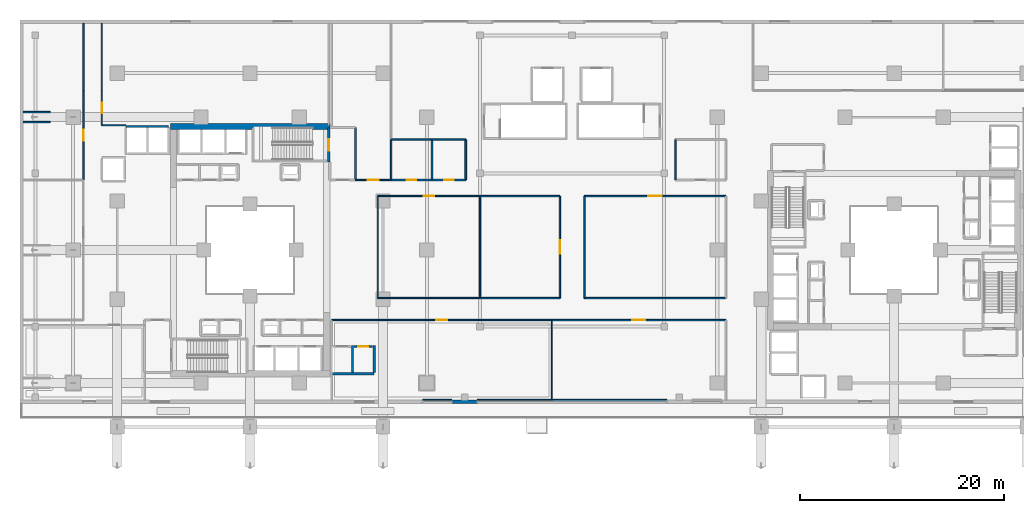
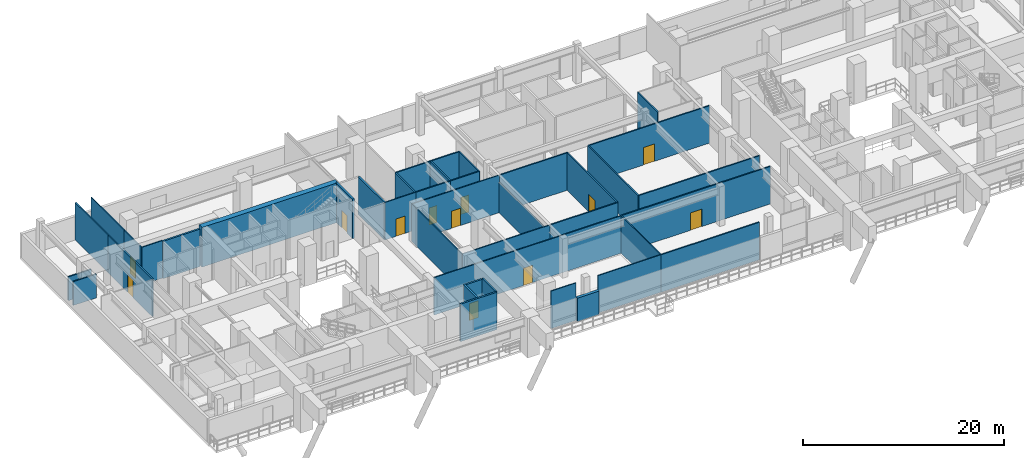
# One storey, part 16 of 25: 41 walls, 12 doors, 12 openings.
"""IFC4 building model written with IfcOpenShell, lengths in metres."""

from ifc_helpers import new_model, si_unit, direction, frame, frame_2d, origin, place, context, subcontext, project, spatial, rectangle, extrude, material, layer, layer_set, type_object, element, fill, save


model = new_model("IFC4")

# Units and contexts
model_context = context("Model", 3, precision=1e-05, world=origin(), true_north=direction((0.0, 1.0)))
body_context = subcontext(model_context, "Body", "Model", "MODEL_VIEW")
ifc_project = project(units=[si_unit("LENGTHUNIT", "METRE"), si_unit("AREAUNIT", "SQUARE_METRE"), si_unit("VOLUMEUNIT", "CUBIC_METRE"), si_unit("PLANEANGLEUNIT", "RADIAN"), si_unit("MASSUNIT", "GRAM", prefix="KILO")], contexts=[model_context])

# Site, building, storey
site_placement = place(None, origin())
site = spatial("IfcSite", under=ifc_project, at=site_placement, CompositionType="ELEMENT")
building_placement = place(site_placement, origin())
building = spatial("IfcBuilding", under=site, at=building_placement, Name="Thornwick Lancets Civic Towers", CompositionType="ELEMENT")
storey_placement = place(building_placement, frame((0.0, 0.0, 23.10009765625)))
storey = spatial("IfcBuildingStorey", under=building, at=storey_placement, Name="L05", CompositionType="ELEMENT", Elevation=23.10009765625)

# Wall, opening, door
ifc_material_1 = material(Name="Concrete blockwork C40/50", Category="masonry")
ifc_layer_1 = layer(ifc_material_1, 0.199951171875, Name="Concrete blockwork C40/50")
ifc_layer_set_1 = layer_set([ifc_layer_1], Name="Concrete blockwork C40/50")
wall_type_1 = type_object("IfcWallType", Name="WALL_COMP_200", PredefinedType="STANDARD", material=ifc_layer_set_1)
wall_1_placement = place(storey_placement, frame((35.679931640625, 17.550048828125, 0.0), z_axis=(0.0, 0.0, 1.0), x_axis=(1.0, 0.0, 0.0)))
wall_1 = element("IfcWall", 1, at=wall_1_placement, inside=storey, type_object=wall_type_1, Name="L05 Hoistway Front Wall PL-AL3", PredefinedType="STANDARD", context=body_context, shape_type="SweptSolid", body=[
    extrude(rectangle(XDim=1.7900390625, YDim=0.199951171875, at=frame_2d((0.89501953125, 0.0))), origin(), (0.0, 0.0, 1.0), 4.539794921875),
])
opening_1_placement = place(wall_1_placement, frame((0.385009765625, 0.0, 0.0)))
opening_1 = element("IfcOpeningElement", 2, at=opening_1_placement, cuts=wall_1, Name="Opening LD-PL-AL3", PredefinedType="OPENING", context=body_context, shape_type="SweptSolid", body=[
    extrude(rectangle(XDim=1.02001953125, YDim=2.06005859375, at=frame_2d((0.510009765625, 1.030029296875))), frame((0.0, 0.10986328125, 0.0), z_axis=(0.0, -1.0, 0.0), x_axis=(1.0, 0.0, 0.0)), (0.0, 0.0, 1.0), 0.219970703125),
])
ifc_material_2 = material(Name="Brushed bronze stainless steel", Category="steel")
door_type_1 = type_object("IfcDoorType", Name="DOOR_LIFT_SLIDE", OperationType="SLIDING_TO_LEFT", PredefinedType="DOOR", material=ifc_material_2)
door_1_placement = place(opening_1_placement, origin())
door_1 = element("IfcDoor", 3, at=door_1_placement, inside=storey, type_object=door_type_1, Name="L05 Sliding Lift Landing Door LD-PL-AL3", OperationType="SLIDING_TO_LEFT", OverallHeight=2.06005859375, OverallWidth=1.02001953125, PredefinedType="DOOR", context=body_context, shape_type="SweptSolid", body=[
    extrude(rectangle(XDim=1.02001953125, YDim=2.06005859375, at=frame_2d((0.510009765625, 1.030029296875))), frame((0.0, 0.02490234375, 0.0), z_axis=(0.0, -1.0, 0.0), x_axis=(1.0, 0.0, 0.0)), (0.0, 0.0, 1.0), 0.050048828125),
])
fill(opening_1, door_1)

# Walls
wall_2_placement = place(storey_placement, frame((33.451904296875, 14.89990234375, 0.0), z_axis=(0.0, 0.0, 1.0), x_axis=(1.0, 0.0, 0.0)))
element("IfcWall", 4, at=wall_2_placement, inside=storey, type_object=wall_type_1, Name="L05 Hoistway Shaft Wall PL-AL2 S", PredefinedType="STANDARD", context=body_context, shape_type="SweptSolid", body=[
    extrude(rectangle(XDim=4.196044921875, YDim=0.199951171875, at=frame_2d((2.09814453125, 0.0))), origin(), (0.0, 0.0, 1.0), 4.539794921875),
])
for number, where, z_axis, x_axis, name in (
    (5, (35.52490234375, 15.011962890625, 0.0), (0.0, 0.0, 1.0), (0.0, 1.0, 0.0), "L05 Hoistway Shaft Wall PL-AL2 E"),
    (6, (37.64990234375, 15.011962890625, 0.0), (0.0, 0.0, 1.0), (0.0, 1.0, 0.0), "L05 Hoistway Shaft Wall PL-AL3 E"),
):
    element("IfcWall", number, at=place(storey_placement, frame(where, z_axis=z_axis, x_axis=x_axis)), inside=storey, type_object=wall_type_1, Name=name, PredefinedType="STANDARD", context=body_context, shape_type="SweptSolid", body=[
        extrude(rectangle(XDim=2.635986328125, YDim=0.199951171875, at=frame_2d((1.31787109375, 0.0))), origin(), (0.0, 0.0, 1.0), 4.539794921875),
    ])
wall_3_placement = place(storey_placement, frame((13.35205078125, 39.10009765625, 0.0), z_axis=(0.0, 0.0, 1.0), x_axis=(1.0, 0.0, 0.0)))
element("IfcWall", 7, at=wall_3_placement, inside=storey, type_object=wall_type_1, Name="L05 Hoistway Shaft Wall PL-AM1 N", PredefinedType="STANDARD", context=body_context, shape_type="SweptSolid", body=[
    extrude(rectangle(XDim=4.196044921875, YDim=0.199951171875, at=frame_2d((2.09814453125, 0.0))), origin(), (0.0, 0.0, 1.0), 4.539794921875),
])
wall_4_placement = place(storey_placement, frame((35.800048828125, 33.85009765625, 0.0), z_axis=(0.0, 0.0, 1.0), x_axis=(0.0, 1.0, 0.0)))
element("IfcWall", 8, at=wall_4_placement, inside=storey, type_object=wall_type_1, Name="L05 Partition L05-A-FFLOB2 E2", PredefinedType="STANDARD", context=body_context, shape_type="SweptSolid", body=[
    extrude(rectangle(XDim=5.14990234375, YDim=0.199951171875, at=frame_2d((2.574951171875, 0.0))), origin(), (0.0, 0.0, 1.0), 4.539794921875),
])
ifc_material_3 = material(Name="Concrete C60/75", Category="concrete")
ifc_layer_2 = layer(ifc_material_3, 0.60009765625, Name="Concrete C60/75")
ifc_layer_set_2 = layer_set([ifc_layer_2], Name="Concrete C60/75")
wall_type_2 = type_object("IfcWallType", Name="WALL_CORE_600", PredefinedType="SHEAR", material=ifc_layer_set_2)
wall_5_placement = place(storey_placement, frame((17.699951171875, 39.10009765625, 0.0), z_axis=(0.0, 0.0, 1.0), x_axis=(1.0, 0.0, 0.0)))
element("IfcWall", 9, at=wall_5_placement, inside=storey, type_object=wall_type_2, Name="L05 Split Core A2 Shear Wall N", PredefinedType="SHEAR", context=body_context, shape_type="SweptSolid", body=[
    extrude(rectangle(XDim=15.60009765625, YDim=0.60009765625, at=frame_2d((7.800048828125, 0.0))), origin(), (0.0, 0.0, 1.0), 4.7998046875),
])
ifc_material_4 = material(Name="Insulated buff terracotta rainscreen on concrete C40/50", Category="masonry")
ifc_layer_3 = layer(ifc_material_4, 0.320068359375, Name="Insulated buff terracotta rainscreen on concrete C40/50")
ifc_layer_set_3 = layer_set([ifc_layer_3], Name="Insulated buff terracotta rainscreen on concrete C40/50")
wall_type_3 = type_object("IfcWallType", Name="WALL_EXT_TERRA_320", PredefinedType="STANDARD", material=ifc_layer_set_3)
wall_6_placement = place(storey_placement, frame((45.25, 12.159912109375, 0.0), z_axis=(0.0, 0.0, 1.0), x_axis=(1.0, 0.0, 0.0)))
element("IfcWall", 10, at=wall_6_placement, inside=storey, type_object=wall_type_3, Name="L05 Podium South Facade Pier 1", PredefinedType="STANDARD", context=body_context, shape_type="SweptSolid", body=[
    extrude(rectangle(XDim=2.5, YDim=0.320068359375, at=frame_2d((1.25, 0.0))), origin(), (0.0, 0.0, 1.0), 2.83984375),
])

# Wall, opening, door
ifc_material_5 = material(Name="Acoustic gypsum board partition")
ifc_layer_4 = layer(ifc_material_5, 0.1201171875, Name="Acoustic gypsum board partition")
ifc_layer_set_4 = layer_set([ifc_layer_4], Name="Acoustic gypsum board partition")
wall_type_4 = type_object("IfcWallType", Name="WALL_PART_120", PredefinedType="PARTITIONING", material=ifc_layer_set_4)
wall_7_placement = place(storey_placement, frame((33.5, 20.14990234375, 0.0), z_axis=(0.0, 0.0, 1.0), x_axis=(1.0, 0.0, 0.0)))
wall_7 = element("IfcWall", 11, at=wall_7_placement, inside=storey, type_object=wall_type_4, Name="L05 Partition L05-RECEP E1", PredefinedType="PARTITIONING", context=body_context, shape_type="SweptSolid", body=[
    extrude(rectangle(XDim=21.5, YDim=0.1201171875, at=frame_2d((10.75, 0.0))), origin(), (0.0, 0.0, 1.0), 4.539794921875),
])
opening_2_placement = place(wall_7_placement, frame((10.22509765625, 0.0, 0.0)))
opening_2 = element("IfcOpeningElement", 12, at=opening_2_placement, cuts=wall_7, Name="Opening D-L05-0304", PredefinedType="OPENING", context=body_context, shape_type="SweptSolid", body=[
    extrude(rectangle(XDim=1.050048828125, YDim=2.10009765625, at=frame_2d((0.52490234375, 1.050048828125))), frame((0.0, 0.070068359375, 0.0), z_axis=(0.0, -1.0, 0.0), x_axis=(1.0, 0.0, 0.0)), (0.0, 0.0, 1.0), 0.14013671875),
])
ifc_material_6 = material(Name="Glazed European oak executive doorset")
door_type_2 = type_object("IfcDoorType", Name="DOOR_OFFICE_1050", OperationType="NOTDEFINED", PredefinedType="DOOR", material=ifc_material_6)
door_2_placement = place(opening_2_placement, origin())
door_2 = element("IfcDoor", 13, at=door_2_placement, inside=storey, type_object=door_type_2, Name="L05 Terrace Reception Foyer Door", OperationType="SINGLE_SWING_LEFT", OverallHeight=2.10009765625, OverallWidth=1.050048828125, PredefinedType="DOOR", context=body_context, shape_type="SweptSolid", body=[
    extrude(rectangle(XDim=1.050048828125, YDim=2.10009765625, at=frame_2d((0.52490234375, 1.050048828125))), frame((0.0, 0.02490234375, 0.0), z_axis=(0.0, -1.0, 0.0), x_axis=(1.0, 0.0, 0.0)), (0.0, 0.0, 1.0), 0.050048828125),
])
fill(opening_2, door_2)

# Walls
wall_8_placement = place(storey_placement, frame((55.0, 20.14990234375, 0.0), z_axis=(0.0, 0.0, 1.0), x_axis=(0.0, -1.0, 0.0)))
element("IfcWall", 14, at=wall_8_placement, inside=storey, type_object=wall_type_4, Name="L05 Partition L05-RECEP E2", PredefinedType="PARTITIONING", context=body_context, shape_type="SweptSolid", body=[
    extrude(rectangle(XDim=7.829833984375, YDim=0.1201171875, at=frame_2d((3.9150390625, 0.0))), origin(), (0.0, 0.0, 1.0), 4.539794921875),
])
wall_9_placement = place(storey_placement, frame((55.0, 12.320068359375, 0.0), z_axis=(0.0, 0.0, 1.0), x_axis=(-1.0, 0.0, 0.0)))
element("IfcWall", 15, at=wall_9_placement, inside=storey, type_object=wall_type_4, Name="L05 Partition L05-RECEP E3", PredefinedType="PARTITIONING", context=body_context, shape_type="SweptSolid", body=[
    extrude(rectangle(XDim=7.25, YDim=0.1201171875, at=frame_2d((3.625, 0.0))), origin(), (0.0, 0.0, 1.0), 4.539794921875),
])
wall_10_placement = place(storey_placement, frame((45.25, 12.320068359375, 0.0), z_axis=(0.0, 0.0, 1.0), x_axis=(-1.0, 0.0, 0.0)))
element("IfcWall", 16, at=wall_10_placement, inside=storey, type_object=wall_type_4, Name="L05 Partition L05-RECEP E3", PredefinedType="PARTITIONING", context=body_context, shape_type="SweptSolid", body=[
    extrude(rectangle(XDim=2.85009765625, YDim=0.1201171875, at=frame_2d((1.425048828125, 0.0))), origin(), (0.0, 0.0, 1.0), 4.539794921875),
])

# Wall, opening, door
wall_11_placement = place(storey_placement, frame((38.0, 32.280029296875, 0.0), z_axis=(0.0, 0.0, 1.0), x_axis=(1.0, 0.0, 0.0)))
wall_11 = element("IfcWall", 17, at=wall_11_placement, inside=storey, type_object=wall_type_4, Name="L05 Partition L05-CSW1 E1", PredefinedType="PARTITIONING", context=body_context, shape_type="SweptSolid", body=[
    extrude(rectangle(XDim=10.0, YDim=0.1201171875, at=frame_2d((5.0, 0.0))), origin(), (0.0, 0.0, 1.0), 4.539794921875),
])
opening_3_placement = place(wall_11_placement, frame((4.47509765625, 0.0, 0.0)))
opening_3 = element("IfcOpeningElement", 18, at=opening_3_placement, cuts=wall_11, Name="Opening D-L05-0309", PredefinedType="OPENING", context=body_context, shape_type="SweptSolid", body=[
    extrude(rectangle(XDim=1.050048828125, YDim=2.10009765625, at=frame_2d((0.52490234375, 1.050048828125))), frame((0.0, 0.070068359375, 0.0), z_axis=(0.0, -1.0, 0.0), x_axis=(1.0, 0.0, 0.0)), (0.0, 0.0, 1.0), 0.14013671875),
])
door_3_placement = place(opening_3_placement, origin())
door_3 = element("IfcDoor", 19, at=door_3_placement, inside=storey, type_object=door_type_2, Name="L05 Central Casework Office A Door", OperationType="SINGLE_SWING_RIGHT", OverallHeight=2.10009765625, OverallWidth=1.050048828125, PredefinedType="DOOR", context=body_context, shape_type="SweptSolid", body=[
    extrude(rectangle(XDim=1.050048828125, YDim=2.10009765625, at=frame_2d((0.52490234375, 1.050048828125))), frame((0.0, 0.02490234375, 0.0), z_axis=(0.0, -1.0, 0.0), x_axis=(1.0, 0.0, 0.0)), (0.0, 0.0, 1.0), 0.050048828125),
])
fill(opening_3, door_3)

# Walls
wall_12_placement = place(storey_placement, frame((48.0, 32.280029296875, 0.0), z_axis=(0.0, 0.0, 1.0), x_axis=(0.0, -1.0, 0.0)))
element("IfcWall", 20, at=wall_12_placement, inside=storey, type_object=wall_type_4, Name="L05 Partition L05-CSW1 E2", PredefinedType="PARTITIONING", context=body_context, shape_type="SweptSolid", body=[
    extrude(rectangle(XDim=9.97998046875, YDim=0.1201171875, at=frame_2d((4.989990234375, 0.0))), origin(), (0.0, 0.0, 1.0), 3.69384765625),
])
wall_13_placement = place(storey_placement, frame((48.0, 22.300048828125, 0.0), z_axis=(0.0, 0.0, 1.0), x_axis=(-1.0, 0.0, 0.0)))
element("IfcWall", 21, at=wall_13_placement, inside=storey, type_object=wall_type_4, Name="L05 Partition L05-CSW1 E3", PredefinedType="PARTITIONING", context=body_context, shape_type="SweptSolid", body=[
    extrude(rectangle(XDim=10.0, YDim=0.1201171875, at=frame_2d((5.0, 0.0))), origin(), (0.0, 0.0, 1.0), 4.539794921875),
])
wall_14_placement = place(storey_placement, frame((38.0, 22.300048828125, 0.0), z_axis=(0.0, 0.0, 1.0), x_axis=(0.0, 1.0, 0.0)))
element("IfcWall", 22, at=wall_14_placement, inside=storey, type_object=wall_type_4, Name="L05 Partition L05-CSW1 E4", PredefinedType="PARTITIONING", context=body_context, shape_type="SweptSolid", body=[
    extrude(rectangle(XDim=9.97998046875, YDim=0.1201171875, at=frame_2d((4.989990234375, 0.0))), origin(), (0.0, 0.0, 1.0), 4.539794921875),
])

# Wall, opening, door
wall_15_placement = place(storey_placement, frame((39.300048828125, 33.85009765625, 0.0), z_axis=(0.0, 0.0, 1.0), x_axis=(-1.0, 0.0, 0.0)))
wall_15 = element("IfcWall", 23, at=wall_15_placement, inside=storey, type_object=wall_type_4, Name="L05 Partition L05-LIB E4", PredefinedType="PARTITIONING", context=body_context, shape_type="SweptSolid", body=[
    extrude(rectangle(XDim=3.5, YDim=0.1201171875, at=frame_2d((1.75, 0.0))), origin(), (0.0, 0.0, 1.0), 4.539794921875),
])
opening_4_placement = place(wall_15_placement, frame((1.22509765625, 0.0, 0.0)))
opening_4 = element("IfcOpeningElement", 24, at=opening_4_placement, cuts=wall_15, Name="Opening D-L05-0312", PredefinedType="OPENING", context=body_context, shape_type="SweptSolid", body=[
    extrude(rectangle(XDim=1.050048828125, YDim=2.10009765625, at=frame_2d((0.52490234375, 1.050048828125))), frame((0.0, 0.070068359375, 0.0), z_axis=(0.0, -1.0, 0.0), x_axis=(1.0, 0.0, 0.0)), (0.0, 0.0, 1.0), 0.14013671875),
])
door_4_placement = place(opening_4_placement, origin())
door_4 = element("IfcDoor", 25, at=door_4_placement, inside=storey, type_object=door_type_2, Name="L05 Civic Reference Library and Training Door", OperationType="SINGLE_SWING_LEFT", OverallHeight=2.10009765625, OverallWidth=1.050048828125, PredefinedType="DOOR", context=body_context, shape_type="SweptSolid", body=[
    extrude(rectangle(XDim=1.050048828125, YDim=2.10009765625, at=frame_2d((0.52490234375, 1.050048828125))), frame((0.0, 0.02490234375, 0.0), z_axis=(0.0, -1.0, 0.0), x_axis=(1.0, 0.0, 0.0)), (0.0, 0.0, 1.0), 0.050048828125),
])
fill(opening_4, door_4)

# Walls
wall_16_placement = place(storey_placement, frame((11.0, 42.60009765625, 0.0), z_axis=(0.0, 0.0, 1.0), x_axis=(0.0, 1.0, 0.0)))
element("IfcWall", 26, at=wall_16_placement, inside=storey, type_object=wall_type_4, Name="L05 Partition L05-NWR E1", PredefinedType="PARTITIONING", context=body_context, shape_type="SweptSolid", body=[
    extrude(rectangle(XDim=6.579833984375, YDim=0.1201171875, at=frame_2d((3.2900390625, 0.0))), origin(), (0.0, 0.0, 1.0), 4.539794921875),
])
wall_17_placement = place(storey_placement, frame((13.35205078125, 39.199951171875, 0.0), z_axis=(0.0, 0.0, 1.0), x_axis=(-1.0, 0.0, 0.0)))
element("IfcWall", 27, at=wall_17_placement, inside=storey, type_object=wall_type_4, Name="L05 Partition L05-NWR E4", PredefinedType="PARTITIONING", context=body_context, shape_type="SweptSolid", body=[
    extrude(rectangle(XDim=2.35205078125, YDim=0.1201171875, at=frame_2d((1.176025390625, 0.0))), origin(), (0.0, 0.0, 1.0), 4.539794921875),
])

# Wall, opening, door
wall_18_placement = place(storey_placement, frame((11.0, 39.199951171875, 0.0), z_axis=(0.0, 0.0, 1.0), x_axis=(0.0, 1.0, 0.0)))
wall_18 = element("IfcWall", 28, at=wall_18_placement, inside=storey, type_object=wall_type_4, Name="L05 Partition L05-NWR E5", PredefinedType="PARTITIONING", context=body_context, shape_type="SweptSolid", body=[
    extrude(rectangle(XDim=3.400146484375, YDim=0.1201171875, at=frame_2d((1.7001953125, 0.0))), origin(), (0.0, 0.0, 1.0), 4.539794921875),
])
opening_5_placement = place(wall_18_placement, frame((1.175048828125, 0.0, 0.0)))
opening_5 = element("IfcOpeningElement", 29, at=opening_5_placement, cuts=wall_18, Name="Opening D-L05-0315", PredefinedType="OPENING", context=body_context, shape_type="SweptSolid", body=[
    extrude(rectangle(XDim=1.050048828125, YDim=2.10009765625, at=frame_2d((0.52490234375, 1.050048828125))), frame((0.0, 0.070068359375, 0.0), z_axis=(0.0, -1.0, 0.0), x_axis=(1.0, 0.0, 0.0)), (0.0, 0.0, 1.0), 0.14013671875),
])
door_5_placement = place(opening_5_placement, origin())
door_5 = element("IfcDoor", 30, at=door_5_placement, inside=storey, type_object=door_type_2, Name="L05 North-West Terrace Study Hall Door", OperationType="SINGLE_SWING_RIGHT", OverallHeight=2.10009765625, OverallWidth=1.050048828125, PredefinedType="DOOR", context=body_context, shape_type="SweptSolid", body=[
    extrude(rectangle(XDim=1.050048828125, YDim=2.10009765625, at=frame_2d((0.52490234375, 1.050048828125))), frame((0.0, 0.02490234375, 0.0), z_axis=(0.0, -1.0, 0.0), x_axis=(1.0, 0.0, 0.0)), (0.0, 0.0, 1.0), 0.050048828125),
])
fill(opening_5, door_5)

ifc_material_7 = material(Name="Twin-stud acoustic gypsum board")
ifc_layer_5 = layer(ifc_material_7, 0.14990234375, Name="Twin-stud acoustic gypsum board")
ifc_layer_set_5 = layer_set([ifc_layer_5], Name="Twin-stud acoustic gypsum board")
wall_type_5 = type_object("IfcWallType", Name="WALL_PART_150", PredefinedType="PARTITIONING", material=ifc_layer_set_5)
wall_19_placement = place(storey_placement, frame((39.300048828125, 33.85009765625, 0.0), z_axis=(0.0, 0.0, 1.0), x_axis=(1.0, 0.0, 0.0)))
wall_19 = element("IfcWall", 31, at=wall_19_placement, inside=storey, type_object=wall_type_5, Name="L05 Partition L05-POD-MWC E1", PredefinedType="PARTITIONING", context=body_context, shape_type="SweptSolid", body=[
    extrude(rectangle(XDim=4.0, YDim=0.14990234375, at=frame_2d((2.0, 0.0))), origin(), (0.0, 0.0, 1.0), 4.539794921875),
])
opening_6_placement = place(wall_19_placement, frame((1.5400390625, 0.0, 0.0)))
opening_6 = element("IfcOpeningElement", 32, at=opening_6_placement, cuts=wall_19, Name="Opening D-L05-0300", PredefinedType="OPENING", context=body_context, shape_type="SweptSolid", body=[
    extrude(rectangle(XDim=0.919921875, YDim=2.080078125, at=frame_2d((0.4599609375, 1.0400390625))), frame((0.0, 0.0849609375, 0.0), z_axis=(0.0, -1.0, 0.0), x_axis=(1.0, 0.0, 0.0)), (0.0, 0.0, 1.0), 0.169921875),
])
ifc_material_8 = material(Name="Moisture-resistant oak doorset")
door_type_3 = type_object("IfcDoorType", Name="DOOR_WC_900", OperationType="NOTDEFINED", PredefinedType="DOOR", material=ifc_material_8)
door_6_placement = place(opening_6_placement, origin())
door_6 = element("IfcDoor", 33, at=door_6_placement, inside=storey, type_object=door_type_3, Name="L05 Podium Public Male WC Door", OperationType="SINGLE_SWING_LEFT", OverallHeight=2.080078125, OverallWidth=0.919921875, PredefinedType="DOOR", context=body_context, shape_type="SweptSolid", body=[
    extrude(rectangle(XDim=0.919921875, YDim=2.080078125, at=frame_2d((0.4599609375, 1.0400390625))), frame((0.0, 0.02490234375, 0.0), z_axis=(0.0, -1.0, 0.0), x_axis=(1.0, 0.0, 0.0)), (0.0, 0.0, 1.0), 0.050048828125),
])
fill(opening_6, door_6)

# Walls
wall_20_placement = place(storey_placement, frame((43.300048828125, 33.85009765625, 0.0), z_axis=(0.0, 0.0, 1.0), x_axis=(0.0, 1.0, 0.0)))
element("IfcWall", 34, at=wall_20_placement, inside=storey, type_object=wall_type_5, Name="L05 Partition L05-POD-MWC E2", PredefinedType="PARTITIONING", context=body_context, shape_type="SweptSolid", body=[
    extrude(rectangle(XDim=3.949951171875, YDim=0.14990234375, at=frame_2d((1.97509765625, 0.0))), origin(), (0.0, 0.0, 1.0), 4.539794921875),
])
wall_21_placement = place(storey_placement, frame((43.300048828125, 37.800048828125, 0.0), z_axis=(0.0, 0.0, 1.0), x_axis=(-1.0, 0.0, 0.0)))
element("IfcWall", 35, at=wall_21_placement, inside=storey, type_object=wall_type_5, Name="L05 Partition L05-POD-MWC E3", PredefinedType="PARTITIONING", context=body_context, shape_type="SweptSolid", body=[
    extrude(rectangle(XDim=4.0, YDim=0.14990234375, at=frame_2d((2.0, 0.0))), origin(), (0.0, 0.0, 1.0), 4.539794921875),
])
for number, where, z_axis, x_axis, name in (
    (36, (39.300048828125, 37.800048828125, 0.0), (0.0, 0.0, 1.0), (0.0, -1.0, 0.0), "L05 Partition L05-POD-MWC E4"),
    (37, (67.10009765625, 37.800048828125, 0.0), (0.0, 0.0, 1.0), (0.0, -1.0, 0.0), "L05 Partition L05-POD-FWC E4"),
    (38, (46.60009765625, 37.800048828125, 0.0), (0.0, 0.0, 1.0), (0.0, -1.0, 0.0), "L05 Partition L05-POD-AWC E1"),
):
    element("IfcWall", number, at=place(storey_placement, frame(where, z_axis=z_axis, x_axis=x_axis)), inside=storey, type_object=wall_type_5, Name=name, PredefinedType="PARTITIONING", context=body_context, shape_type="SweptSolid", body=[
        extrude(rectangle(XDim=3.949951171875, YDim=0.14990234375, at=frame_2d((1.97509765625, 0.0))), origin(), (0.0, 0.0, 1.0), 4.539794921875),
    ])

# Wall, opening, door
wall_22_placement = place(storey_placement, frame((46.60009765625, 33.85009765625, 0.0), z_axis=(0.0, 0.0, 1.0), x_axis=(-1.0, 0.0, 0.0)))
wall_22 = element("IfcWall", 39, at=wall_22_placement, inside=storey, type_object=wall_type_5, Name="L05 Partition L05-POD-AWC E2", PredefinedType="PARTITIONING", context=body_context, shape_type="SweptSolid", body=[
    extrude(rectangle(XDim=3.300048828125, YDim=0.14990234375, at=frame_2d((1.64990234375, 0.0))), origin(), (0.0, 0.0, 1.0), 4.539794921875),
])
opening_7_placement = place(wall_22_placement, frame((1.18994140625, 0.0, 0.0)))
opening_7 = element("IfcOpeningElement", 40, at=opening_7_placement, cuts=wall_22, Name="Opening D-L05-0302", PredefinedType="OPENING", context=body_context, shape_type="SweptSolid", body=[
    extrude(rectangle(XDim=0.919921875, YDim=2.080078125, at=frame_2d((0.4599609375, 1.0400390625))), frame((0.0, 0.0849609375, 0.0), z_axis=(0.0, -1.0, 0.0), x_axis=(1.0, 0.0, 0.0)), (0.0, 0.0, 1.0), 0.169921875),
])
door_7_placement = place(opening_7_placement, origin())
door_7 = element("IfcDoor", 41, at=door_7_placement, inside=storey, type_object=door_type_3, Name="L05 Podium Accessible WC Door", OperationType="SINGLE_SWING_LEFT", OverallHeight=2.080078125, OverallWidth=0.919921875, PredefinedType="DOOR", context=body_context, shape_type="SweptSolid", body=[
    extrude(rectangle(XDim=0.919921875, YDim=2.080078125, at=frame_2d((0.4599609375, 1.0400390625))), frame((0.0, 0.02490234375, 0.0), z_axis=(0.0, -1.0, 0.0), x_axis=(1.0, 0.0, 0.0)), (0.0, 0.0, 1.0), 0.050048828125),
])
fill(opening_7, door_7)

# Wall
wall_23_placement = place(storey_placement, frame((43.300048828125, 37.800048828125, 0.0), z_axis=(0.0, 0.0, 1.0), x_axis=(1.0, 0.0, 0.0)))
element("IfcWall", 42, at=wall_23_placement, inside=storey, type_object=wall_type_5, Name="L05 Partition L05-POD-AWC E4", PredefinedType="PARTITIONING", context=body_context, shape_type="SweptSolid", body=[
    extrude(rectangle(XDim=3.300048828125, YDim=0.14990234375, at=frame_2d((1.64990234375, 0.0))), origin(), (0.0, 0.0, 1.0), 4.539794921875),
])

# Wall, opening, door
wall_24_placement = place(storey_placement, frame((55.0, 20.14990234375, 0.0), z_axis=(0.0, 0.0, 1.0), x_axis=(1.0, 0.0, 0.0)))
wall_24 = element("IfcWall", 43, at=wall_24_placement, inside=storey, type_object=wall_type_5, Name="L05 Partition L05-TRIB E1", PredefinedType="PARTITIONING", context=body_context, shape_type="SweptSolid", body=[
    extrude(rectangle(XDim=17.050048828125, YDim=0.14990234375, at=frame_2d((8.52490234375, 0.0))), origin(), (0.0, 0.0, 1.0), 4.539794921875),
])
opening_8_placement = place(wall_24_placement, frame((7.875, 0.0, 0.0)))
opening_8 = element("IfcOpeningElement", 44, at=opening_8_placement, cuts=wall_24, Name="Opening D-L05-0305", PredefinedType="OPENING", context=body_context, shape_type="SweptSolid", body=[
    extrude(rectangle(XDim=1.300048828125, YDim=2.1201171875, at=frame_2d((0.64990234375, 1.06005859375))), frame((0.0, 0.0849609375, 0.0), z_axis=(0.0, -1.0, 0.0), x_axis=(1.0, 0.0, 0.0)), (0.0, 0.0, 1.0), 0.169921875),
])
ifc_material_9 = material(Name="Acoustic oak leaf-and-a-half doorset")
door_type_4 = type_object("IfcDoorType", Name="DOOR_MEET_1300", OperationType="DOUBLE_DOOR_SINGLE_SWING", PredefinedType="DOOR", material=ifc_material_9)
door_8_placement = place(opening_8_placement, origin())
door_8 = element("IfcDoor", 45, at=door_8_placement, inside=storey, type_object=door_type_4, Name="L05 Administrative Tribunal Hearing Hall Door", OperationType="DOUBLE_DOOR_SINGLE_SWING", OverallHeight=2.1201171875, OverallWidth=1.300048828125, PredefinedType="DOOR", context=body_context, shape_type="SweptSolid", body=[
    extrude(rectangle(XDim=1.300048828125, YDim=2.1201171875, at=frame_2d((0.64990234375, 1.06005859375))), frame((0.0, 0.02490234375, 0.0), z_axis=(0.0, -1.0, 0.0), x_axis=(1.0, 0.0, 0.0)), (0.0, 0.0, 1.0), 0.050048828125),
])
fill(opening_8, door_8)

# Wall
wall_25_placement = place(storey_placement, frame((66.25, 12.320068359375, 0.0), z_axis=(0.0, 0.0, 1.0), x_axis=(-1.0, 0.0, 0.0)))
element("IfcWall", 46, at=wall_25_placement, inside=storey, type_object=wall_type_5, Name="L05 Partition L05-TRIB E4", PredefinedType="PARTITIONING", context=body_context, shape_type="SweptSolid", body=[
    extrude(rectangle(XDim=11.25, YDim=0.14990234375, at=frame_2d((5.625, 0.0))), origin(), (0.0, 0.0, 1.0), 4.539794921875),
])

# Wall, opening, door
wall_26_placement = place(storey_placement, frame((58.199951171875, 32.280029296875, 0.0), z_axis=(0.0, 0.0, 1.0), x_axis=(1.0, 0.0, 0.0)))
wall_26 = element("IfcWall", 47, at=wall_26_placement, inside=storey, type_object=wall_type_5, Name="L05 Partition L05-CSE E1", PredefinedType="PARTITIONING", context=body_context, shape_type="SweptSolid", body=[
    extrude(rectangle(XDim=13.85009765625, YDim=0.14990234375, at=frame_2d((6.925048828125, 0.0))), origin(), (0.0, 0.0, 1.0), 4.539794921875),
])
opening_9_placement = place(wall_26_placement, frame((6.27490234375, 0.0, 0.0)))
opening_9 = element("IfcOpeningElement", 48, at=opening_9_placement, cuts=wall_26, Name="Opening D-L05-0310", PredefinedType="OPENING", context=body_context, shape_type="SweptSolid", body=[
    extrude(rectangle(XDim=1.300048828125, YDim=2.1201171875, at=frame_2d((0.64990234375, 1.06005859375))), frame((0.0, 0.0849609375, 0.0), z_axis=(0.0, -1.0, 0.0), x_axis=(1.0, 0.0, 0.0)), (0.0, 0.0, 1.0), 0.169921875),
])
door_9_placement = place(opening_9_placement, origin())
door_9 = element("IfcDoor", 49, at=door_9_placement, inside=storey, type_object=door_type_4, Name="L05 Statutory Adjudication Chambers Door", OperationType="DOUBLE_DOOR_SINGLE_SWING", OverallHeight=2.1201171875, OverallWidth=1.300048828125, PredefinedType="DOOR", context=body_context, shape_type="SweptSolid", body=[
    extrude(rectangle(XDim=1.300048828125, YDim=2.1201171875, at=frame_2d((0.64990234375, 1.06005859375))), frame((0.0, 0.02490234375, 0.0), z_axis=(0.0, -1.0, 0.0), x_axis=(1.0, 0.0, 0.0)), (0.0, 0.0, 1.0), 0.050048828125),
])
fill(opening_9, door_9)

# Walls
wall_27_placement = place(storey_placement, frame((72.050048828125, 22.300048828125, 0.0), z_axis=(0.0, 0.0, 1.0), x_axis=(-1.0, 0.0, 0.0)))
element("IfcWall", 50, at=wall_27_placement, inside=storey, type_object=wall_type_5, Name="L05 Partition L05-CSE E3", PredefinedType="PARTITIONING", context=body_context, shape_type="SweptSolid", body=[
    extrude(rectangle(XDim=13.85009765625, YDim=0.14990234375, at=frame_2d((6.925048828125, 0.0))), origin(), (0.0, 0.0, 1.0), 4.539794921875),
])
wall_28_placement = place(storey_placement, frame((58.199951171875, 22.300048828125, 0.0), z_axis=(0.0, 0.0, 1.0), x_axis=(0.0, 1.0, 0.0)))
element("IfcWall", 51, at=wall_28_placement, inside=storey, type_object=wall_type_5, Name="L05 Partition L05-CSE E4", PredefinedType="PARTITIONING", context=body_context, shape_type="SweptSolid", body=[
    extrude(rectangle(XDim=9.97998046875, YDim=0.14990234375, at=frame_2d((4.989990234375, 0.0))), origin(), (0.0, 0.0, 1.0), 4.539794921875),
])
wall_29_placement = place(storey_placement, frame((9.199951171875, 49.179931640625, 0.0), z_axis=(0.0, 0.0, 1.0), x_axis=(0.0, -1.0, 0.0)))
element("IfcWall", 52, at=wall_29_placement, inside=storey, type_object=wall_type_5, Name="L05 Partition L05-REC E1", PredefinedType="PARTITIONING", context=body_context, shape_type="SweptSolid", body=[
    extrude(rectangle(XDim=6.579833984375, YDim=0.14990234375, at=frame_2d((3.2900390625, 0.0))), origin(), (0.0, 0.0, 1.0), 4.539794921875),
])

# Wall, opening, door
wall_30_placement = place(storey_placement, frame((9.199951171875, 42.60009765625, 0.0), z_axis=(0.0, 0.0, 1.0), x_axis=(0.0, -1.0, 0.0)))
wall_30 = element("IfcWall", 53, at=wall_30_placement, inside=storey, type_object=wall_type_5, Name="L05 Partition L05-REC E2", PredefinedType="PARTITIONING", context=body_context, shape_type="SweptSolid", body=[
    extrude(rectangle(XDim=8.75, YDim=0.14990234375, at=frame_2d((4.375, 0.0))), origin(), (0.0, 0.0, 1.0), 4.539794921875),
])
opening_10_placement = place(wall_30_placement, frame((3.85009765625, 0.0, 0.0)))
opening_10 = element("IfcOpeningElement", 54, at=opening_10_placement, cuts=wall_30, Name="Opening D-L05-0311", PredefinedType="OPENING", context=body_context, shape_type="SweptSolid", body=[
    extrude(rectangle(XDim=1.050048828125, YDim=2.10009765625, at=frame_2d((0.52490234375, 1.050048828125))), frame((0.0, 0.0849609375, 0.0), z_axis=(0.0, -1.0, 0.0), x_axis=(1.0, 0.0, 0.0)), (0.0, 0.0, 1.0), 0.169921875),
])
door_10_placement = place(opening_10_placement, origin())
door_10 = element("IfcDoor", 55, at=door_10_placement, inside=storey, type_object=door_type_2, Name="L05 Departmental Records Archive Door", OperationType="SINGLE_SWING_RIGHT", OverallHeight=2.10009765625, OverallWidth=1.050048828125, PredefinedType="DOOR", context=body_context, shape_type="SweptSolid", body=[
    extrude(rectangle(XDim=1.050048828125, YDim=2.10009765625, at=frame_2d((0.52490234375, 1.050048828125))), frame((0.0, 0.02490234375, 0.0), z_axis=(0.0, -1.0, 0.0), x_axis=(1.0, 0.0, 0.0)), (0.0, 0.0, 1.0), 0.050048828125),
])
fill(opening_10, door_10)

# Walls
for number, where, z_axis, x_axis, name in (
    (56, (3.300048828125, 39.52001953125, 0.0), (0.0, 0.0, 1.0), (1.0, 0.0, 0.0), "L05 Partition L05-REC E5"),
    (57, (5.96630859375, 40.47998046875, 0.0), (0.0, 0.0, 1.0), (-1.0, 0.0, 0.0), "L05 Partition L05-REC E7"),
):
    element("IfcWall", number, at=place(storey_placement, frame(where, z_axis=z_axis, x_axis=x_axis)), inside=storey, type_object=wall_type_5, Name=name, PredefinedType="PARTITIONING", context=body_context, shape_type="SweptSolid", body=[
        extrude(rectangle(XDim=2.666259765625, YDim=0.14990234375, at=frame_2d((1.3330078125, 0.0))), origin(), (0.0, 0.0, 1.0), 2.885009765625),
    ])
wall_31_placement = place(storey_placement, frame((48.0, 32.280029296875, 0.0), z_axis=(0.0, 0.0, 1.0), x_axis=(1.0, 0.0, 0.0)))
element("IfcWall", 58, at=wall_31_placement, inside=storey, type_object=wall_type_5, Name="L05 Partition L05-CSW2 E1", PredefinedType="PARTITIONING", context=body_context, shape_type="SweptSolid", body=[
    extrude(rectangle(XDim=7.800048828125, YDim=0.14990234375, at=frame_2d((3.89990234375, 0.0))), origin(), (0.0, 0.0, 1.0), 4.539794921875),
])

# Wall, opening, door
wall_32_placement = place(storey_placement, frame((55.800048828125, 32.280029296875, 0.0), z_axis=(0.0, 0.0, 1.0), x_axis=(0.0, -1.0, 0.0)))
wall_32 = element("IfcWall", 59, at=wall_32_placement, inside=storey, type_object=wall_type_5, Name="L05 Partition L05-CSW2 E2", PredefinedType="PARTITIONING", context=body_context, shape_type="SweptSolid", body=[
    extrude(rectangle(XDim=9.97998046875, YDim=0.14990234375, at=frame_2d((4.989990234375, 0.0))), origin(), (0.0, 0.0, 1.0), 4.539794921875),
])
opening_11_placement = place(wall_32_placement, frame((4.340087890625, 0.0, 0.0)))
opening_11 = element("IfcOpeningElement", 60, at=opening_11_placement, cuts=wall_32, Name="Opening D-L05-0316", PredefinedType="OPENING", context=body_context, shape_type="SweptSolid", body=[
    extrude(rectangle(XDim=1.300048828125, YDim=2.1201171875, at=frame_2d((0.64990234375, 1.06005859375))), frame((0.0, 0.0849609375, 0.0), z_axis=(0.0, -1.0, 0.0), x_axis=(1.0, 0.0, 0.0)), (0.0, 0.0, 1.0), 0.169921875),
])
door_11_placement = place(opening_11_placement, origin())
door_11 = element("IfcDoor", 61, at=door_11_placement, inside=storey, type_object=door_type_4, Name="L05 Central Briefing Room B Door", OperationType="DOUBLE_DOOR_SINGLE_SWING", OverallHeight=2.1201171875, OverallWidth=1.300048828125, PredefinedType="DOOR", context=body_context, shape_type="SweptSolid", body=[
    extrude(rectangle(XDim=1.300048828125, YDim=2.1201171875, at=frame_2d((0.64990234375, 1.06005859375))), frame((0.0, 0.02490234375, 0.0), z_axis=(0.0, -1.0, 0.0), x_axis=(1.0, 0.0, 0.0)), (0.0, 0.0, 1.0), 0.050048828125),
])
fill(opening_11, door_11)

# Wall
wall_33_placement = place(storey_placement, frame((55.800048828125, 22.300048828125, 0.0), z_axis=(0.0, 0.0, 1.0), x_axis=(-1.0, 0.0, 0.0)))
element("IfcWall", 62, at=wall_33_placement, inside=storey, type_object=wall_type_5, Name="L05 Partition L05-CSW2 E3", PredefinedType="PARTITIONING", context=body_context, shape_type="SweptSolid", body=[
    extrude(rectangle(XDim=7.800048828125, YDim=0.14990234375, at=frame_2d((3.89990234375, 0.0))), origin(), (0.0, 0.0, 1.0), 4.539794921875),
])

# Wall, opening, door
ifc_material_10 = material(Name="Concrete C40/50", Category="concrete")
ifc_layer_6 = layer(ifc_material_10, 0.199951171875, Name="Concrete C40/50")
ifc_layer_set_6 = layer_set([ifc_layer_6], Name="Concrete C40/50")
wall_type_6 = type_object("IfcWallType", Name="WALL_SHAFT_200", PredefinedType="SHEAR", material=ifc_layer_set_6)
wall_34_placement = place(storey_placement, frame((33.199951171875, 38.949951171875, 0.0), z_axis=(0.0, 0.0, 1.0), x_axis=(0.0, -1.0, 0.0)))
wall_34 = element("IfcWall", 63, at=wall_34_placement, inside=storey, type_object=wall_type_6, Name="L05 ST-A2 Fire Stair Core Wall NEAR", PredefinedType="SHEAR", context=body_context, shape_type="SweptSolid", body=[
    extrude(rectangle(XDim=3.349853515625, YDim=0.199951171875, at=frame_2d((1.6748046875, 0.0))), origin(), (0.0, 0.0, 1.0), 4.7998046875),
])
opening_12_placement = place(wall_34_placement, frame((1.125, 0.0, 0.0)))
opening_12 = element("IfcOpeningElement", 64, at=opening_12_placement, cuts=wall_34, Name="Opening D-ST-A2-L05", PredefinedType="OPENING", context=body_context, shape_type="SweptSolid", body=[
    extrude(rectangle(XDim=1.10009765625, YDim=2.10009765625, at=frame_2d((0.550048828125, 1.050048828125))), frame((0.0, 0.10986328125, 0.0), z_axis=(0.0, -1.0, 0.0), x_axis=(1.0, 0.0, 0.0)), (0.0, 0.0, 1.0), 0.219970703125),
])
ifc_material_11 = material(Name="Fire-resisting steel and hardwood", Category="steel")
door_type_5 = type_object("IfcDoorType", Name="DOOR_STAIR_FD60", OperationType="NOTDEFINED", PredefinedType="DOOR", material=ifc_material_11)
door_12_placement = place(opening_12_placement, origin())
door_12 = element("IfcDoor", 65, at=door_12_placement, inside=storey, type_object=door_type_5, Name="L05 ST-A2 Exit Stair Door", OperationType="SINGLE_SWING_RIGHT", OverallHeight=2.10009765625, OverallWidth=1.10009765625, PredefinedType="DOOR", context=body_context, shape_type="SweptSolid", body=[
    extrude(rectangle(XDim=1.10009765625, YDim=2.10009765625, at=frame_2d((0.550048828125, 1.050048828125))), frame((0.0, 0.02490234375, 0.0), z_axis=(0.0, -1.0, 0.0), x_axis=(1.0, 0.0, 0.0)), (0.0, 0.0, 1.0), 0.050048828125),
])
fill(opening_12, door_12)

save(model, "model.ifc")
